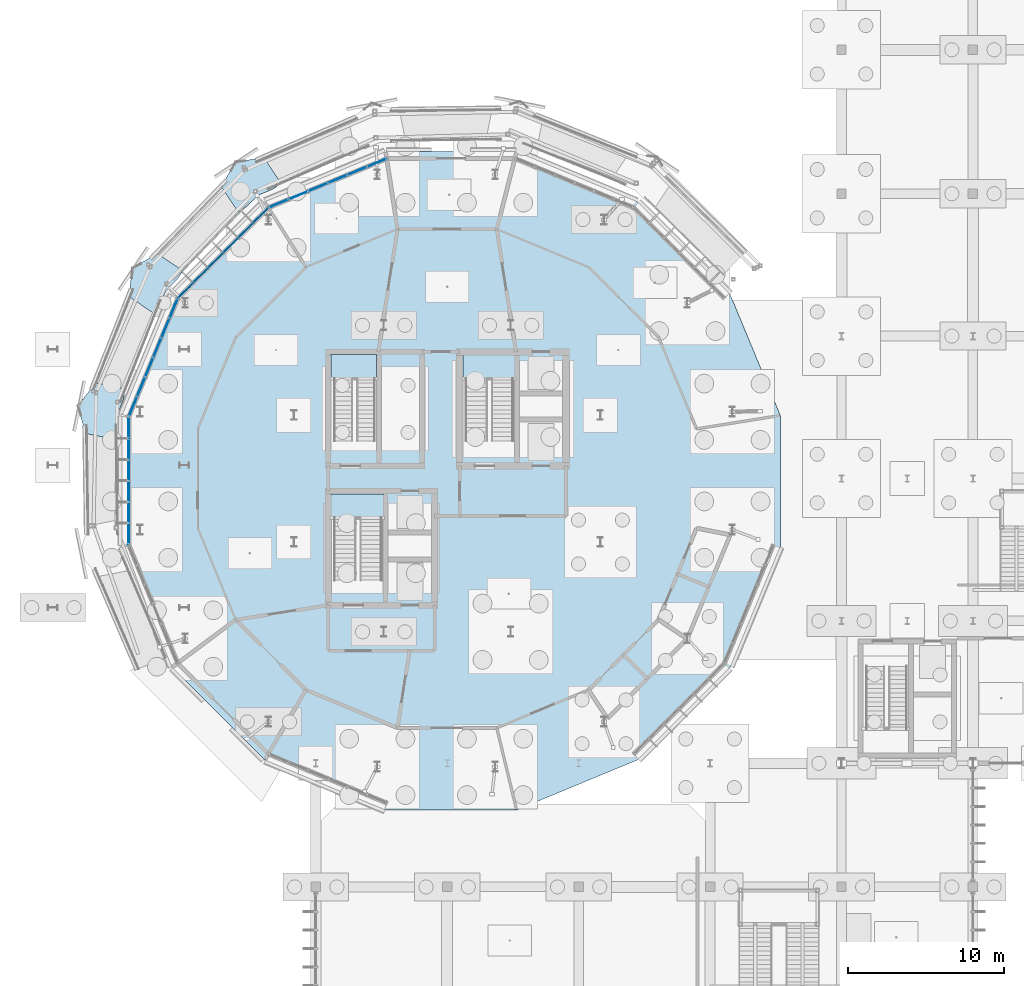
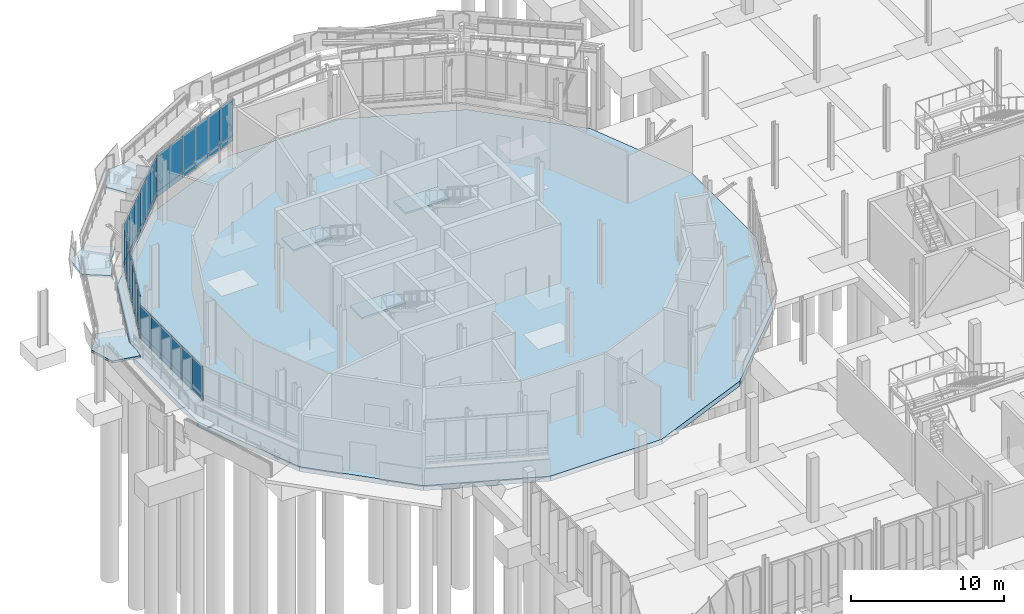
# One storey, part 69 of 119: 48 plates, 7 slabs, 8 elements without a shape of their own.
"""IFC4 building model written with IfcOpenShell, lengths in metres."""

import ifcopenshell
import ifcopenshell.guid

model = None  # the IFC model being written
_history = None  # IfcOwnerHistory: only IFC2X3 demands one
_inside = {}  # id of a spatial element -> (the spatial element, [elements in it])
_under = {}  # id of a project, library or spatial element -> (it, [spatial elements below it])
_declared = {}  # id of a project -> (the project, [libraries it declares])
_typed = {}  # id of a type object -> (the type object, [elements of that type])
_made_of = {}  # id of a material, layer set ... -> (it, [elements and type objects made of it])


def new_model(schema):
    """Start an empty IFC model of exactly this schema.

    Asked for "IFC4X3", IfcOpenShell would pick the latest addendum, in which some entities
    have other attributes; the version numbers below select the first issue.
    IFC2X3 requires an IfcOwnerHistory on every rooted entity: one is made here for all.
    """
    global model, _history
    if schema == "IFC4X3":
        model = ifcopenshell.file(schema_version=(4, 3, 0, 0))
    else:
        model = ifcopenshell.file(schema=schema)
    _inside.clear()
    _under.clear()
    _declared.clear()
    _typed.clear()
    _made_of.clear()
    _history = None
    if model.schema == "IFC2X3":
        org = make("IfcOrganization", Name="unknown")
        user = make(
            "IfcPersonAndOrganization",
            ThePerson=make("IfcPerson", FamilyName="unknown"),
            TheOrganization=org,
        )
        app = make(
            "IfcApplication",
            ApplicationDeveloper=org,
            Version="unknown",
            ApplicationFullName="unknown",
            ApplicationIdentifier="unknown",
        )
        _history = make(
            "IfcOwnerHistory",
            OwningUser=user,
            OwningApplication=app,
            ChangeAction="ADDED",
            CreationDate=0,
        )
    return model


def make(cls, **values):
    """One entity of the class cls with the attributes given. An attribute that is None is left unset."""
    return model.create_entity(
        cls, **{name: value for name, value in values.items() if value is not None}
    )


def rooted(cls, **values):
    """An entity with a GlobalId (a new one), such as an element, a storey or a relation."""
    return make(cls, GlobalId=ifcopenshell.guid.new(), OwnerHistory=_history, **values)


def si_unit(unit_type, name, prefix=None):
    """IfcSIUnit, for example si_unit("LENGTHUNIT", "METRE", prefix="MILLI")."""
    return make("IfcSIUnit", UnitType=unit_type, Prefix=prefix, Name=name)


def derived_unit(unit_type, elements):
    """IfcDerivedUnit: a product of units, each with its exponent."""
    return make(
        "IfcDerivedUnit",
        Elements=[
            make("IfcDerivedUnitElement", Unit=unit, Exponent=power)
            for unit, power in elements
        ],
        UnitType=unit_type,
    )


def assignment(units):
    """IfcUnitAssignment: the units of a project."""
    return None if units is None else make("IfcUnitAssignment", Units=units)


def point(xyz):
    """IfcCartesianPoint."""
    return None if xyz is None else make("IfcCartesianPoint", Coordinates=xyz)


def direction(xyz):
    """IfcDirection."""
    return None if xyz is None else make("IfcDirection", DirectionRatios=xyz)


def frame(location, z_axis=None, x_axis=None):
    """IfcAxis2Placement3D, a coordinate frame: its origin and axes. An axis left out is left unset."""
    return make(
        "IfcAxis2Placement3D",
        Location=point(location),
        Axis=direction(z_axis),
        RefDirection=direction(x_axis),
    )


def frame_2d(location, x_axis=None):
    """IfcAxis2Placement2D, a coordinate frame in the plane: its origin and x axis."""
    return make(
        "IfcAxis2Placement2D", Location=point(location), RefDirection=direction(x_axis)
    )


def origin():
    """The frame at (0, 0, 0) with its axes left unset."""
    return frame((0.0, 0.0, 0.0))


def origin_2d():
    """The frame at (0, 0) in the plane with its x axis left unset."""
    return frame_2d((0.0, 0.0))


def place(relative_to, where):
    """IfcLocalPlacement: puts the frame where relative to a parent placement (None: the world)."""
    return make(
        "IfcLocalPlacement", PlacementRelTo=relative_to, RelativePlacement=where
    )


def context(
    kind, dimensions, precision=None, world=None, true_north=None, identifier=None
):
    """IfcGeometricRepresentationContext, for example the 3D "Model" context."""
    return make(
        "IfcGeometricRepresentationContext",
        ContextIdentifier=identifier,
        ContextType=kind,
        CoordinateSpaceDimension=dimensions,
        Precision=precision,
        WorldCoordinateSystem=world,
        TrueNorth=true_north,
    )


def subcontext(parent, identifier, kind, view, scale=None):
    """IfcGeometricRepresentationSubContext, for example "Body" below "Model"."""
    return make(
        "IfcGeometricRepresentationSubContext",
        ContextIdentifier=identifier,
        ContextType=kind,
        ParentContext=parent,
        TargetScale=scale,
        TargetView=view,
    )


def project(units=None, contexts=None):
    """IfcProject with its units and contexts."""
    return rooted(
        "IfcProject",
        Name="project",
        RepresentationContexts=contexts,
        UnitsInContext=assignment(units),
    )


def spatial(cls, under=None, at=None, **own):
    """A site, building, storey or space (cls), placed at a placement, below another one or the project."""
    s = rooted(cls, ObjectPlacement=at, **own)
    if under is not None:
        _under.setdefault(under.id(), (under, []))[1].append(s)
    return s


def polyline(points):
    """IfcPolyline through the points."""
    return make("IfcPolyline", Points=[point(p) for p in points])


def profile(cls, at=None, kind="AREA", **sizes):
    """A parametric profile (cls). Its sizes go by their IFC names, for example OverallWidth=200.0."""
    return make(cls, ProfileType=kind, Position=at, **sizes)


def rectangle(**sizes):
    """IfcRectangleProfileDef."""
    return profile("IfcRectangleProfileDef", **sizes)


def outline(outer, holes=None, kind="AREA"):
    """IfcArbitraryClosedProfileDef: a profile drawn as a closed curve; with holes, ...WithVoids."""
    if holes is None:
        return make("IfcArbitraryClosedProfileDef", ProfileType=kind, OuterCurve=outer)
    return make(
        "IfcArbitraryProfileDefWithVoids",
        ProfileType=kind,
        OuterCurve=outer,
        InnerCurves=holes,
    )


def extrude(swept, where, along, depth):
    """IfcExtrudedAreaSolid: the profile swept, set in the frame where, extruded along a direction by depth."""
    return make(
        "IfcExtrudedAreaSolid",
        SweptArea=swept,
        Position=where,
        ExtrudedDirection=direction(along),
        Depth=depth,
    )


def shape(context_of_items, identifier, shape_type, items):
    """IfcShapeRepresentation: the items that make up one representation, for example the "Body"."""
    return make(
        "IfcShapeRepresentation",
        ContextOfItems=context_of_items,
        RepresentationIdentifier=identifier,
        RepresentationType=shape_type,
        Items=items,
    )


def material(Name=None, Category=None):
    """IfcMaterial."""
    return make("IfcMaterial", Name=Name, Category=Category)


def layer(
    of_material, thickness, ventilated=None, Name=None, Category=None, Priority=None
):
    """IfcMaterialLayer: one layer of a wall or slab, of a material (None: an air gap)."""
    return make(
        "IfcMaterialLayer",
        Material=of_material,
        LayerThickness=thickness,
        IsVentilated=ventilated,
        Name=Name,
        Category=Category,
        Priority=Priority,
    )


def layer_set(layers, Name=None):
    """IfcMaterialLayerSet."""
    return make("IfcMaterialLayerSet", MaterialLayers=layers, LayerSetName=Name)


def made_of(thing, what):
    """Note that an element or type object is made of a material, layer set ...; save() writes the relation."""
    if what is not None:
        _made_of.setdefault(what.id(), (what, []))[1].append(thing)
    return thing


def type_object(cls, material=None, **own):
    """A type object (cls), such as IfcWallType, which elements share."""
    return made_of(rooted(cls, **own), material)


def element(
    cls,
    number,
    at=None,
    inside=None,
    cuts=None,
    type_object=None,
    material=None,
    context=None,
    identifier="Body",
    shape_type=None,
    held_by="IfcProductDefinitionShape",
    body=None,
    shapes=None,
    **own,
):
    """One element of the class cls, such as IfcWall. Its Tag is "e" and its number.

    at: its placement. inside: the storey or other place that contains it. cuts: it is an
    opening in that element (IfcRelVoidsElement). A single representation is given by context,
    identifier, shape_type and body (its items); several are given by shapes. held_by: the class
    of the entity that holds the representations. save() writes the other relations.
    """
    e = rooted(cls, Tag="e%d" % number, ObjectPlacement=at, **own)
    if body is not None:
        shapes = [shape(context, identifier, shape_type, body)]
    if shapes is not None:
        e.Representation = make(held_by, Representations=shapes)
    if inside is not None:
        _inside.setdefault(inside.id(), (inside, []))[1].append(e)
    if cuts is not None:
        rooted(
            "IfcRelVoidsElement", RelatingBuildingElement=cuts, RelatedOpeningElement=e
        )
    if type_object is not None:
        _typed.setdefault(type_object.id(), (type_object, []))[1].append(e)
    return made_of(e, material)


def aggregate(whole, parts):
    """IfcRelAggregates: a whole, such as a stair, and the parts it consists of."""
    return rooted("IfcRelAggregates", RelatingObject=whole, RelatedObjects=parts)


def save(model, path):
    """Write the relations noted so far, then the file.

    IfcRelAggregates (storeys below a building ...), IfcRelContainedInSpatialStructure (elements
    in a storey), IfcRelDefinesByType, IfcRelAssociatesMaterial and IfcRelDeclares: one each for
    every whole, place, type object, material and project.
    """
    for whole, parts in _under.values():
        aggregate(whole, parts)
    for where, things in _inside.values():
        rooted(
            "IfcRelContainedInSpatialStructure",
            RelatedElements=things,
            RelatingStructure=where,
        )
    for kind, things in _typed.values():
        rooted("IfcRelDefinesByType", RelatedObjects=things, RelatingType=kind)
    for what, things in _made_of.values():
        rooted("IfcRelAssociatesMaterial", RelatedObjects=things, RelatingMaterial=what)
    for by, libraries in _declared.values():
        rooted("IfcRelDeclares", RelatingContext=by, RelatedDefinitions=libraries)
    model.write(path)


model = new_model("IFC4")

# Units and contexts
model_context = context("Model", 3, precision=1e-05, world=origin(), true_north=direction((0.0, 1.0)))
body_context = subcontext(model_context, "Body", "Model", "MODEL_VIEW")
ifc_project = project(units=[si_unit("LENGTHUNIT", "METRE"), si_unit("AREAUNIT", "SQUARE_METRE"), si_unit("VOLUMEUNIT", "CUBIC_METRE"), si_unit("PLANEANGLEUNIT", "RADIAN"), si_unit("MASSUNIT", "GRAM", prefix="KILO"), derived_unit("THERMALTRANSMITTANCEUNIT", [(si_unit("MASSUNIT", "GRAM", prefix="KILO"), 1), (si_unit("TIMEUNIT", "SECOND"), -3), (si_unit("THERMODYNAMICTEMPERATUREUNIT", "KELVIN"), -1)])], contexts=[model_context])

# Site, building, storey
site_placement = place(None, origin())
site = spatial("IfcSite", under=ifc_project, at=site_placement, CompositionType="ELEMENT")
building_placement = place(site_placement, origin())
building = spatial("IfcBuilding", under=site, at=building_placement, Name="Makaiwela Harbour Ferry Terminal", CompositionType="ELEMENT")
storey_placement = place(building_placement, origin())
storey = spatial("IfcBuildingStorey", under=building, at=storey_placement, Name="L00", CompositionType="ELEMENT", Elevation=0.0)

# Curtain wall, plates
ifc_material_1 = material(Name="Marine anodised aluminium 6063-T6", Category="aluminium")
ifc_layer_1 = layer(ifc_material_1, 0.199951171875)
ifc_layer_set_1 = layer_set([ifc_layer_1], Name="Marine anodised aluminium 6063-T6")
curtain_wall_type_1 = type_object("IfcCurtainWallType", Name="ENV-CW-01", PredefinedType="USERDEFINED", material=ifc_layer_set_1)
curtain_wall_1_placement = place(storey_placement, origin())
curtain_wall_1 = element("IfcCurtainWall", 1, at=curtain_wall_1_placement, inside=storey, type_object=curtain_wall_type_1, Name="Unitised Curtain Wall CWA-003", ObjectType="UNITIZED CURTAIN WALL", PredefinedType="USERDEFINED")
ifc_material_2 = material(Name="Laminated hurricane-impact low-E insulated glazing", Category="glass")
ifc_layer_2 = layer(ifc_material_2, 0.031982421875)
ifc_layer_set_2 = layer_set([ifc_layer_2], Name="Laminated hurricane-impact low-E insulated glazing")
plate_type_1 = type_object("IfcPlateType", Name="CW-PNL-G02", PredefinedType="CURTAIN_PANEL", material=ifc_layer_set_2)
plate_1_placement = place(storey_placement, frame((33.29931640625, 87.775634765625, 1.900146484375), z_axis=(0.0, 0.0, 1.0), x_axis=(-0.923879532511, -0.382683432365, 0.0)))
plate_1 = element("IfcPlate", 2, at=plate_1_placement, type_object=plate_type_1, Name="Glazed Vision Panel CWA-003-1G", PredefinedType="CURTAIN_PANEL", context=body_context, shape_type="SweptSolid", body=[
    extrude(rectangle(XDim=1.355712890625, YDim=0.031982421875, at=origin_2d()), origin(), (0.0, 0.0, 1.0), 2.919921875),
])
plate_2_placement = place(storey_placement, frame((32.046630859375, 87.2568359375, 1.900146484375), z_axis=(0.0, 0.0, 1.0), x_axis=(-0.923879532511, -0.382683432365, 0.0)))
plate_2 = element("IfcPlate", 3, at=plate_2_placement, type_object=plate_type_1, Name="Glazed Vision Panel CWA-003-2G", PredefinedType="CURTAIN_PANEL", context=body_context, shape_type="SweptSolid", body=[
    extrude(rectangle(XDim=1.355712890625, YDim=0.031982421875, at=origin_2d()), origin(), (0.0, 0.0, 1.0), 2.919921875),
])
plate_3_placement = place(storey_placement, frame((30.794189453125, 86.738037109375, 1.900146484375), z_axis=(0.0, 0.0, 1.0), x_axis=(-0.923879532511, -0.382683432365, 0.0)))
plate_3 = element("IfcPlate", 4, at=plate_3_placement, type_object=plate_type_1, Name="Glazed Vision Panel CWA-003-3G", PredefinedType="CURTAIN_PANEL", context=body_context, shape_type="SweptSolid", body=[
    extrude(rectangle(XDim=1.355712890625, YDim=0.031982421875, at=origin_2d()), origin(), (0.0, 0.0, 1.0), 2.919921875),
])
plate_4_placement = place(storey_placement, frame((29.541748046875, 86.21923828125, 1.900146484375), z_axis=(0.0, 0.0, 1.0), x_axis=(-0.923879532511, -0.382683432365, 0.0)))
plate_4 = element("IfcPlate", 5, at=plate_4_placement, type_object=plate_type_1, Name="Glazed Vision Panel CWA-003-4G", PredefinedType="CURTAIN_PANEL", context=body_context, shape_type="SweptSolid", body=[
    extrude(rectangle(XDim=1.355712890625, YDim=0.031982421875, at=origin_2d()), origin(), (0.0, 0.0, 1.0), 2.919921875),
])
plate_5_placement = place(storey_placement, frame((28.289306640625, 85.700439453125, 1.900146484375), z_axis=(0.0, 0.0, 1.0), x_axis=(-0.923879532511, -0.382683432365, 0.0)))
plate_5 = element("IfcPlate", 6, at=plate_5_placement, type_object=plate_type_1, Name="Glazed Vision Panel CWA-003-5G", PredefinedType="CURTAIN_PANEL", context=body_context, shape_type="SweptSolid", body=[
    extrude(rectangle(XDim=1.355712890625, YDim=0.031982421875, at=origin_2d()), origin(), (0.0, 0.0, 1.0), 2.919921875),
])
plate_6_placement = place(storey_placement, frame((27.036865234375, 85.181884765625, 1.900146484375), z_axis=(0.0, 0.0, 1.0), x_axis=(-0.923879532511, -0.382683432365, 0.0)))
plate_6 = element("IfcPlate", 7, at=plate_6_placement, type_object=plate_type_1, Name="Glazed Vision Panel CWA-003-6G", PredefinedType="CURTAIN_PANEL", context=body_context, shape_type="SweptSolid", body=[
    extrude(rectangle(XDim=1.355712890625, YDim=0.031982421875, at=origin_2d()), origin(), (0.0, 0.0, 1.0), 2.919921875),
])

curtain_wall_2_placement = place(storey_placement, origin())
curtain_wall_2 = element("IfcCurtainWall", 8, at=curtain_wall_2_placement, inside=storey, type_object=curtain_wall_type_1, Name="Unitised Curtain Wall CWA-004", ObjectType="UNITIZED CURTAIN WALL", PredefinedType="USERDEFINED")
plate_7_placement = place(storey_placement, frame((25.882568359375, 84.410400390625, 1.900146484375), z_axis=(0.0, 0.0, 1.0), x_axis=(-0.707106781187, -0.707106781187, 0.0)))
plate_7 = element("IfcPlate", 9, at=plate_7_placement, type_object=plate_type_1, Name="Glazed Vision Panel CWA-004-1G", PredefinedType="CURTAIN_PANEL", context=body_context, shape_type="SweptSolid", body=[
    extrude(rectangle(XDim=1.355712890625, YDim=0.031982421875, at=origin_2d()), origin(), (0.0, 0.0, 1.0), 2.919921875),
])
plate_8_placement = place(storey_placement, frame((24.923828125, 83.451904296875, 1.900146484375), z_axis=(0.0, 0.0, 1.0), x_axis=(-0.707106781187, -0.707106781187, 0.0)))
plate_8 = element("IfcPlate", 10, at=plate_8_placement, type_object=plate_type_1, Name="Glazed Vision Panel CWA-004-2G", PredefinedType="CURTAIN_PANEL", context=body_context, shape_type="SweptSolid", body=[
    extrude(rectangle(XDim=1.355712890625, YDim=0.031982421875, at=origin_2d()), origin(), (0.0, 0.0, 1.0), 2.919921875),
])
plate_9_placement = place(storey_placement, frame((23.96533203125, 82.4931640625, 1.900146484375), z_axis=(0.0, 0.0, 1.0), x_axis=(-0.707106781187, -0.707106781187, 0.0)))
plate_9 = element("IfcPlate", 11, at=plate_9_placement, type_object=plate_type_1, Name="Glazed Vision Panel CWA-004-3G", PredefinedType="CURTAIN_PANEL", context=body_context, shape_type="SweptSolid", body=[
    extrude(rectangle(XDim=1.355712890625, YDim=0.031982421875, at=origin_2d()), origin(), (0.0, 0.0, 1.0), 2.919921875),
])
plate_10_placement = place(storey_placement, frame((23.0068359375, 81.53466796875, 1.900146484375), z_axis=(0.0, 0.0, 1.0), x_axis=(-0.707106781187, -0.707106781187, 0.0)))
plate_10 = element("IfcPlate", 12, at=plate_10_placement, type_object=plate_type_1, Name="Glazed Vision Panel CWA-004-4G", PredefinedType="CURTAIN_PANEL", context=body_context, shape_type="SweptSolid", body=[
    extrude(rectangle(XDim=1.355712890625, YDim=0.031982421875, at=origin_2d()), origin(), (0.0, 0.0, 1.0), 2.919921875),
])
plate_11_placement = place(storey_placement, frame((22.048095703125, 80.576171875, 1.900146484375), z_axis=(0.0, 0.0, 1.0), x_axis=(-0.707106781187, -0.707106781187, 0.0)))
plate_11 = element("IfcPlate", 13, at=plate_11_placement, type_object=plate_type_1, Name="Glazed Vision Panel CWA-004-5G", PredefinedType="CURTAIN_PANEL", context=body_context, shape_type="SweptSolid", body=[
    extrude(rectangle(XDim=1.355712890625, YDim=0.031982421875, at=origin_2d()), origin(), (0.0, 0.0, 1.0), 2.919921875),
])
plate_12_placement = place(storey_placement, frame((21.089599609375, 79.617431640625, 1.900146484375), z_axis=(0.0, 0.0, 1.0), x_axis=(-0.707106781187, -0.707106781187, 0.0)))
plate_12 = element("IfcPlate", 14, at=plate_12_placement, type_object=plate_type_1, Name="Glazed Vision Panel CWA-004-6G", PredefinedType="CURTAIN_PANEL", context=body_context, shape_type="SweptSolid", body=[
    extrude(rectangle(XDim=1.355712890625, YDim=0.031982421875, at=origin_2d()), origin(), (0.0, 0.0, 1.0), 2.919921875),
])

curtain_wall_3_placement = place(storey_placement, origin())
curtain_wall_3 = element("IfcCurtainWall", 15, at=curtain_wall_3_placement, inside=storey, type_object=curtain_wall_type_1, Name="Unitised Curtain Wall CWA-005", ObjectType="UNITIZED CURTAIN WALL", PredefinedType="USERDEFINED")
plate_13_placement = place(storey_placement, frame((20.318115234375, 78.463134765625, 1.900146484375), z_axis=(0.0, 0.0, 1.0), x_axis=(-0.382683432365, -0.923879532511, 0.0)))
plate_13 = element("IfcPlate", 16, at=plate_13_placement, type_object=plate_type_1, Name="Glazed Vision Panel CWA-005-1G", PredefinedType="CURTAIN_PANEL", context=body_context, shape_type="SweptSolid", body=[
    extrude(rectangle(XDim=1.355712890625, YDim=0.031982421875, at=origin_2d()), origin(), (0.0, 0.0, 1.0), 2.919921875),
])
plate_14_placement = place(storey_placement, frame((19.799560546875, 77.210693359375, 1.900146484375), z_axis=(0.0, 0.0, 1.0), x_axis=(-0.382683432365, -0.923879532511, 0.0)))
plate_14 = element("IfcPlate", 17, at=plate_14_placement, type_object=plate_type_1, Name="Glazed Vision Panel CWA-005-2G", PredefinedType="CURTAIN_PANEL", context=body_context, shape_type="SweptSolid", body=[
    extrude(rectangle(XDim=1.355712890625, YDim=0.031982421875, at=origin_2d()), origin(), (0.0, 0.0, 1.0), 2.919921875),
])
plate_15_placement = place(storey_placement, frame((19.28076171875, 75.958251953125, 1.900146484375), z_axis=(0.0, 0.0, 1.0), x_axis=(-0.382683432365, -0.923879532511, 0.0)))
plate_15 = element("IfcPlate", 18, at=plate_15_placement, type_object=plate_type_1, Name="Glazed Vision Panel CWA-005-3G", PredefinedType="CURTAIN_PANEL", context=body_context, shape_type="SweptSolid", body=[
    extrude(rectangle(XDim=1.355712890625, YDim=0.031982421875, at=origin_2d()), origin(), (0.0, 0.0, 1.0), 2.919921875),
])
plate_16_placement = place(storey_placement, frame((18.761962890625, 74.705810546875, 1.900146484375), z_axis=(0.0, 0.0, 1.0), x_axis=(-0.382683432365, -0.923879532511, 0.0)))
plate_16 = element("IfcPlate", 19, at=plate_16_placement, type_object=plate_type_1, Name="Glazed Vision Panel CWA-005-4G", PredefinedType="CURTAIN_PANEL", context=body_context, shape_type="SweptSolid", body=[
    extrude(rectangle(XDim=1.355712890625, YDim=0.031982421875, at=origin_2d()), origin(), (0.0, 0.0, 1.0), 2.919921875),
])
plate_17_placement = place(storey_placement, frame((18.2431640625, 73.453369140625, 1.900146484375), z_axis=(0.0, 0.0, 1.0), x_axis=(-0.382683432365, -0.923879532511, 0.0)))
plate_17 = element("IfcPlate", 20, at=plate_17_placement, type_object=plate_type_1, Name="Glazed Vision Panel CWA-005-5G", PredefinedType="CURTAIN_PANEL", context=body_context, shape_type="SweptSolid", body=[
    extrude(rectangle(XDim=1.355712890625, YDim=0.031982421875, at=origin_2d()), origin(), (0.0, 0.0, 1.0), 2.919921875),
])
plate_18_placement = place(storey_placement, frame((17.724365234375, 72.20068359375, 1.900146484375), z_axis=(0.0, 0.0, 1.0), x_axis=(-0.382683432365, -0.923879532511, 0.0)))
plate_18 = element("IfcPlate", 21, at=plate_18_placement, type_object=plate_type_1, Name="Glazed Vision Panel CWA-005-6G", PredefinedType="CURTAIN_PANEL", context=body_context, shape_type="SweptSolid", body=[
    extrude(rectangle(XDim=1.355712890625, YDim=0.031982421875, at=origin_2d()), origin(), (0.0, 0.0, 1.0), 2.919921875),
])

ifc_layer_3 = layer(ifc_material_1, 0.199951171875)
ifc_layer_set_3 = layer_set([ifc_layer_3], Name="Marine anodised aluminium 6063-T6")
curtain_wall_type_2 = type_object("IfcCurtainWallType", Name="ENV-CW-02", PredefinedType="USERDEFINED", material=ifc_layer_set_3)
curtain_wall_4_placement = place(storey_placement, origin())
curtain_wall_4 = element("IfcCurtainWall", 22, at=curtain_wall_4_placement, inside=storey, type_object=curtain_wall_type_2, Name="Unitised Curtain Wall CWA-006", ObjectType="UNITIZED CURTAIN WALL", PredefinedType="USERDEFINED")
ifc_layer_4 = layer(ifc_material_2, 0.031982421875)
ifc_layer_set_4 = layer_set([ifc_layer_4], Name="Laminated hurricane-impact low-E insulated glazing")
plate_type_2 = type_object("IfcPlateType", Name="CW-PNL-G03", PredefinedType="CURTAIN_PANEL", material=ifc_layer_set_4)
plate_19_placement = place(storey_placement, frame((17.45361328125, 70.839111328125, 1.89990234375), z_axis=(0.0, 0.0, 1.0), x_axis=(0.0, -1.0, 0.0)))
plate_19 = element("IfcPlate", 23, at=plate_19_placement, type_object=plate_type_2, Name="Glazed Vision Panel CWA-006-1G", PredefinedType="CURTAIN_PANEL", context=body_context, shape_type="SweptSolid", body=[
    extrude(rectangle(XDim=1.355712890625, YDim=0.031982421875, at=origin_2d()), origin(), (0.0, 0.0, 1.0), 2.260009765625),
])
plate_20_placement = place(storey_placement, frame((17.45361328125, 69.4833984375, 1.89990234375), z_axis=(0.0, 0.0, 1.0), x_axis=(0.0, -1.0, 0.0)))
plate_20 = element("IfcPlate", 24, at=plate_20_placement, type_object=plate_type_2, Name="Glazed Vision Panel CWA-006-2G", PredefinedType="CURTAIN_PANEL", context=body_context, shape_type="SweptSolid", body=[
    extrude(rectangle(XDim=1.355712890625, YDim=0.031982421875, at=origin_2d()), origin(), (0.0, 0.0, 1.0), 2.260009765625),
])
plate_21_placement = place(storey_placement, frame((17.45361328125, 68.127685546875, 1.89990234375), z_axis=(0.0, 0.0, 1.0), x_axis=(0.0, -1.0, 0.0)))
plate_21 = element("IfcPlate", 25, at=plate_21_placement, type_object=plate_type_2, Name="Glazed Vision Panel CWA-006-3G", PredefinedType="CURTAIN_PANEL", context=body_context, shape_type="SweptSolid", body=[
    extrude(rectangle(XDim=1.355712890625, YDim=0.031982421875, at=origin_2d()), origin(), (0.0, 0.0, 1.0), 2.260009765625),
])
plate_22_placement = place(storey_placement, frame((17.45361328125, 66.772216796875, 1.89990234375), z_axis=(0.0, 0.0, 1.0), x_axis=(0.0, -1.0, 0.0)))
plate_22 = element("IfcPlate", 26, at=plate_22_placement, type_object=plate_type_2, Name="Glazed Vision Panel CWA-006-4G", PredefinedType="CURTAIN_PANEL", context=body_context, shape_type="SweptSolid", body=[
    extrude(rectangle(XDim=1.355712890625, YDim=0.031982421875, at=origin_2d()), origin(), (0.0, 0.0, 1.0), 2.260009765625),
])
plate_23_placement = place(storey_placement, frame((17.45361328125, 65.41650390625, 1.89990234375), z_axis=(0.0, 0.0, 1.0), x_axis=(0.0, -1.0, 0.0)))
plate_23 = element("IfcPlate", 27, at=plate_23_placement, type_object=plate_type_2, Name="Glazed Vision Panel CWA-006-5G", PredefinedType="CURTAIN_PANEL", context=body_context, shape_type="SweptSolid", body=[
    extrude(rectangle(XDim=1.355712890625, YDim=0.031982421875, at=origin_2d()), origin(), (0.0, 0.0, 1.0), 2.260009765625),
])
plate_24_placement = place(storey_placement, frame((17.45361328125, 64.060791015625, 1.89990234375), z_axis=(0.0, 0.0, 1.0), x_axis=(0.0, -1.0, 0.0)))
plate_24 = element("IfcPlate", 28, at=plate_24_placement, type_object=plate_type_2, Name="Glazed Vision Panel CWA-006-6G", PredefinedType="CURTAIN_PANEL", context=body_context, shape_type="SweptSolid", body=[
    extrude(rectangle(XDim=1.355712890625, YDim=0.031982421875, at=origin_2d()), origin(), (0.0, 0.0, 1.0), 2.260009765625),
])

# Plate
ifc_material_3 = material(Name="Insulated marine aluminium spandrel panel", Category="aluminium")
ifc_layer_5 = layer(ifc_material_3, 0.048095703125)
ifc_layer_set_5 = layer_set([ifc_layer_5], Name="Insulated marine aluminium spandrel panel")
plate_type_3 = type_object("IfcPlateType", Name="CW-PNL-S01", PredefinedType="CURTAIN_PANEL", material=ifc_layer_set_5)
plate_25_placement = place(storey_placement, frame((33.29931640625, 87.775634765625, 1.47998046875), z_axis=(0.0, 0.0, 1.0), x_axis=(-0.923879532511, -0.382683432365, 0.0)))
plate_25 = element("IfcPlate", 29, at=plate_25_placement, type_object=plate_type_3, Name="Spandrel Panel CWA-003-1S", PredefinedType="CURTAIN_PANEL", context=body_context, shape_type="SweptSolid", body=[
    extrude(rectangle(XDim=1.355712890625, YDim=0.048095703125, at=origin_2d()), origin(), (0.0, 0.0, 1.0), 0.419921875),
])

plate_26_placement = place(storey_placement, frame((32.046630859375, 87.2568359375, 1.47998046875), z_axis=(0.0, 0.0, 1.0), x_axis=(-0.923879532511, -0.382683432365, 0.0)))
plate_26 = element("IfcPlate", 30, at=plate_26_placement, type_object=plate_type_3, Name="Spandrel Panel CWA-003-2S", PredefinedType="CURTAIN_PANEL", context=body_context, shape_type="SweptSolid", body=[
    extrude(rectangle(XDim=1.355712890625, YDim=0.048095703125, at=origin_2d()), origin(), (0.0, 0.0, 1.0), 0.419921875),
])

plate_27_placement = place(storey_placement, frame((30.794189453125, 86.738037109375, 1.47998046875), z_axis=(0.0, 0.0, 1.0), x_axis=(-0.923879532511, -0.382683432365, 0.0)))
plate_27 = element("IfcPlate", 31, at=plate_27_placement, type_object=plate_type_3, Name="Spandrel Panel CWA-003-3S", PredefinedType="CURTAIN_PANEL", context=body_context, shape_type="SweptSolid", body=[
    extrude(rectangle(XDim=1.355712890625, YDim=0.048095703125, at=origin_2d()), origin(), (0.0, 0.0, 1.0), 0.419921875),
])

plate_28_placement = place(storey_placement, frame((29.541748046875, 86.21923828125, 1.47998046875), z_axis=(0.0, 0.0, 1.0), x_axis=(-0.923879532511, -0.382683432365, 0.0)))
plate_28 = element("IfcPlate", 32, at=plate_28_placement, type_object=plate_type_3, Name="Spandrel Panel CWA-003-4S", PredefinedType="CURTAIN_PANEL", context=body_context, shape_type="SweptSolid", body=[
    extrude(rectangle(XDim=1.355712890625, YDim=0.048095703125, at=origin_2d()), origin(), (0.0, 0.0, 1.0), 0.419921875),
])

plate_29_placement = place(storey_placement, frame((28.289306640625, 85.700439453125, 1.47998046875), z_axis=(0.0, 0.0, 1.0), x_axis=(-0.923879532511, -0.382683432365, 0.0)))
plate_29 = element("IfcPlate", 33, at=plate_29_placement, type_object=plate_type_3, Name="Spandrel Panel CWA-003-5S", PredefinedType="CURTAIN_PANEL", context=body_context, shape_type="SweptSolid", body=[
    extrude(rectangle(XDim=1.355712890625, YDim=0.048095703125, at=origin_2d()), origin(), (0.0, 0.0, 1.0), 0.419921875),
])

plate_30_placement = place(storey_placement, frame((27.036865234375, 85.181884765625, 1.47998046875), z_axis=(0.0, 0.0, 1.0), x_axis=(-0.923879532511, -0.382683432365, 0.0)))
plate_30 = element("IfcPlate", 34, at=plate_30_placement, type_object=plate_type_3, Name="Spandrel Panel CWA-003-6S", PredefinedType="CURTAIN_PANEL", context=body_context, shape_type="SweptSolid", body=[
    extrude(rectangle(XDim=1.355712890625, YDim=0.048095703125, at=origin_2d()), origin(), (0.0, 0.0, 1.0), 0.419921875),
])

aggregate(curtain_wall_1, [plate_25, plate_1, plate_26, plate_2, plate_27, plate_3, plate_28, plate_4, plate_29, plate_5, plate_30, plate_6])

plate_31_placement = place(storey_placement, frame((25.882568359375, 84.410400390625, 1.47998046875), z_axis=(0.0, 0.0, 1.0), x_axis=(-0.707106781187, -0.707106781187, 0.0)))
plate_31 = element("IfcPlate", 35, at=plate_31_placement, type_object=plate_type_3, Name="Spandrel Panel CWA-004-1S", PredefinedType="CURTAIN_PANEL", context=body_context, shape_type="SweptSolid", body=[
    extrude(rectangle(XDim=1.355712890625, YDim=0.048095703125, at=origin_2d()), origin(), (0.0, 0.0, 1.0), 0.419921875),
])

plate_32_placement = place(storey_placement, frame((24.923828125, 83.451904296875, 1.47998046875), z_axis=(0.0, 0.0, 1.0), x_axis=(-0.707106781187, -0.707106781187, 0.0)))
plate_32 = element("IfcPlate", 36, at=plate_32_placement, type_object=plate_type_3, Name="Spandrel Panel CWA-004-2S", PredefinedType="CURTAIN_PANEL", context=body_context, shape_type="SweptSolid", body=[
    extrude(rectangle(XDim=1.355712890625, YDim=0.048095703125, at=origin_2d()), origin(), (0.0, 0.0, 1.0), 0.419921875),
])

plate_33_placement = place(storey_placement, frame((23.96533203125, 82.4931640625, 1.47998046875), z_axis=(0.0, 0.0, 1.0), x_axis=(-0.707106781187, -0.707106781187, 0.0)))
plate_33 = element("IfcPlate", 37, at=plate_33_placement, type_object=plate_type_3, Name="Spandrel Panel CWA-004-3S", PredefinedType="CURTAIN_PANEL", context=body_context, shape_type="SweptSolid", body=[
    extrude(rectangle(XDim=1.355712890625, YDim=0.048095703125, at=origin_2d()), origin(), (0.0, 0.0, 1.0), 0.419921875),
])

plate_34_placement = place(storey_placement, frame((23.0068359375, 81.53466796875, 1.47998046875), z_axis=(0.0, 0.0, 1.0), x_axis=(-0.707106781187, -0.707106781187, 0.0)))
plate_34 = element("IfcPlate", 38, at=plate_34_placement, type_object=plate_type_3, Name="Spandrel Panel CWA-004-4S", PredefinedType="CURTAIN_PANEL", context=body_context, shape_type="SweptSolid", body=[
    extrude(rectangle(XDim=1.355712890625, YDim=0.048095703125, at=origin_2d()), origin(), (0.0, 0.0, 1.0), 0.419921875),
])

plate_35_placement = place(storey_placement, frame((22.048095703125, 80.576171875, 1.47998046875), z_axis=(0.0, 0.0, 1.0), x_axis=(-0.707106781187, -0.707106781187, 0.0)))
plate_35 = element("IfcPlate", 39, at=plate_35_placement, type_object=plate_type_3, Name="Spandrel Panel CWA-004-5S", PredefinedType="CURTAIN_PANEL", context=body_context, shape_type="SweptSolid", body=[
    extrude(rectangle(XDim=1.355712890625, YDim=0.048095703125, at=origin_2d()), origin(), (0.0, 0.0, 1.0), 0.419921875),
])

plate_36_placement = place(storey_placement, frame((21.089599609375, 79.617431640625, 1.47998046875), z_axis=(0.0, 0.0, 1.0), x_axis=(-0.707106781187, -0.707106781187, 0.0)))
plate_36 = element("IfcPlate", 40, at=plate_36_placement, type_object=plate_type_3, Name="Spandrel Panel CWA-004-6S", PredefinedType="CURTAIN_PANEL", context=body_context, shape_type="SweptSolid", body=[
    extrude(rectangle(XDim=1.355712890625, YDim=0.048095703125, at=origin_2d()), origin(), (0.0, 0.0, 1.0), 0.419921875),
])

aggregate(curtain_wall_2, [plate_31, plate_7, plate_32, plate_8, plate_33, plate_9, plate_34, plate_10, plate_35, plate_11, plate_36, plate_12])

plate_37_placement = place(storey_placement, frame((20.318115234375, 78.463134765625, 1.47998046875), z_axis=(0.0, 0.0, 1.0), x_axis=(-0.382683432365, -0.923879532511, 0.0)))
plate_37 = element("IfcPlate", 41, at=plate_37_placement, type_object=plate_type_3, Name="Spandrel Panel CWA-005-1S", PredefinedType="CURTAIN_PANEL", context=body_context, shape_type="SweptSolid", body=[
    extrude(rectangle(XDim=1.355712890625, YDim=0.048095703125, at=origin_2d()), origin(), (0.0, 0.0, 1.0), 0.419921875),
])

plate_38_placement = place(storey_placement, frame((19.799560546875, 77.210693359375, 1.47998046875), z_axis=(0.0, 0.0, 1.0), x_axis=(-0.382683432365, -0.923879532511, 0.0)))
plate_38 = element("IfcPlate", 42, at=plate_38_placement, type_object=plate_type_3, Name="Spandrel Panel CWA-005-2S", PredefinedType="CURTAIN_PANEL", context=body_context, shape_type="SweptSolid", body=[
    extrude(rectangle(XDim=1.355712890625, YDim=0.048095703125, at=origin_2d()), origin(), (0.0, 0.0, 1.0), 0.419921875),
])

plate_39_placement = place(storey_placement, frame((19.28076171875, 75.958251953125, 1.47998046875), z_axis=(0.0, 0.0, 1.0), x_axis=(-0.382683432365, -0.923879532511, 0.0)))
plate_39 = element("IfcPlate", 43, at=plate_39_placement, type_object=plate_type_3, Name="Spandrel Panel CWA-005-3S", PredefinedType="CURTAIN_PANEL", context=body_context, shape_type="SweptSolid", body=[
    extrude(rectangle(XDim=1.355712890625, YDim=0.048095703125, at=origin_2d()), origin(), (0.0, 0.0, 1.0), 0.419921875),
])

plate_40_placement = place(storey_placement, frame((18.761962890625, 74.705810546875, 1.47998046875), z_axis=(0.0, 0.0, 1.0), x_axis=(-0.382683432365, -0.923879532511, 0.0)))
plate_40 = element("IfcPlate", 44, at=plate_40_placement, type_object=plate_type_3, Name="Spandrel Panel CWA-005-4S", PredefinedType="CURTAIN_PANEL", context=body_context, shape_type="SweptSolid", body=[
    extrude(rectangle(XDim=1.355712890625, YDim=0.048095703125, at=origin_2d()), origin(), (0.0, 0.0, 1.0), 0.419921875),
])

plate_41_placement = place(storey_placement, frame((18.2431640625, 73.453369140625, 1.47998046875), z_axis=(0.0, 0.0, 1.0), x_axis=(-0.382683432365, -0.923879532511, 0.0)))
plate_41 = element("IfcPlate", 45, at=plate_41_placement, type_object=plate_type_3, Name="Spandrel Panel CWA-005-5S", PredefinedType="CURTAIN_PANEL", context=body_context, shape_type="SweptSolid", body=[
    extrude(rectangle(XDim=1.355712890625, YDim=0.048095703125, at=origin_2d()), origin(), (0.0, 0.0, 1.0), 0.419921875),
])

plate_42_placement = place(storey_placement, frame((17.724365234375, 72.20068359375, 1.47998046875), z_axis=(0.0, 0.0, 1.0), x_axis=(-0.382683432365, -0.923879532511, 0.0)))
plate_42 = element("IfcPlate", 46, at=plate_42_placement, type_object=plate_type_3, Name="Spandrel Panel CWA-005-6S", PredefinedType="CURTAIN_PANEL", context=body_context, shape_type="SweptSolid", body=[
    extrude(rectangle(XDim=1.355712890625, YDim=0.048095703125, at=origin_2d()), origin(), (0.0, 0.0, 1.0), 0.419921875),
])

aggregate(curtain_wall_3, [plate_37, plate_13, plate_38, plate_14, plate_39, plate_15, plate_40, plate_16, plate_41, plate_17, plate_42, plate_18])

plate_43_placement = place(storey_placement, frame((17.45361328125, 70.839111328125, 1.47998046875), z_axis=(0.0, 0.0, 1.0), x_axis=(0.0, -1.0, 0.0)))
plate_43 = element("IfcPlate", 47, at=plate_43_placement, type_object=plate_type_3, Name="Spandrel Panel CWA-006-1S", PredefinedType="CURTAIN_PANEL", context=body_context, shape_type="SweptSolid", body=[
    extrude(rectangle(XDim=1.355712890625, YDim=0.048095703125, at=origin_2d()), origin(), (0.0, 0.0, 1.0), 0.419921875),
])

plate_44_placement = place(storey_placement, frame((17.45361328125, 69.4833984375, 1.47998046875), z_axis=(0.0, 0.0, 1.0), x_axis=(0.0, -1.0, 0.0)))
plate_44 = element("IfcPlate", 48, at=plate_44_placement, type_object=plate_type_3, Name="Spandrel Panel CWA-006-2S", PredefinedType="CURTAIN_PANEL", context=body_context, shape_type="SweptSolid", body=[
    extrude(rectangle(XDim=1.355712890625, YDim=0.048095703125, at=origin_2d()), origin(), (0.0, 0.0, 1.0), 0.419921875),
])

plate_45_placement = place(storey_placement, frame((17.45361328125, 68.127685546875, 1.47998046875), z_axis=(0.0, 0.0, 1.0), x_axis=(0.0, -1.0, 0.0)))
plate_45 = element("IfcPlate", 49, at=plate_45_placement, type_object=plate_type_3, Name="Spandrel Panel CWA-006-3S", PredefinedType="CURTAIN_PANEL", context=body_context, shape_type="SweptSolid", body=[
    extrude(rectangle(XDim=1.355712890625, YDim=0.048095703125, at=origin_2d()), origin(), (0.0, 0.0, 1.0), 0.419921875),
])

plate_46_placement = place(storey_placement, frame((17.45361328125, 66.772216796875, 1.47998046875), z_axis=(0.0, 0.0, 1.0), x_axis=(0.0, -1.0, 0.0)))
plate_46 = element("IfcPlate", 50, at=plate_46_placement, type_object=plate_type_3, Name="Spandrel Panel CWA-006-4S", PredefinedType="CURTAIN_PANEL", context=body_context, shape_type="SweptSolid", body=[
    extrude(rectangle(XDim=1.355712890625, YDim=0.048095703125, at=origin_2d()), origin(), (0.0, 0.0, 1.0), 0.419921875),
])

plate_47_placement = place(storey_placement, frame((17.45361328125, 65.41650390625, 1.47998046875), z_axis=(0.0, 0.0, 1.0), x_axis=(0.0, -1.0, 0.0)))
plate_47 = element("IfcPlate", 51, at=plate_47_placement, type_object=plate_type_3, Name="Spandrel Panel CWA-006-5S", PredefinedType="CURTAIN_PANEL", context=body_context, shape_type="SweptSolid", body=[
    extrude(rectangle(XDim=1.355712890625, YDim=0.048095703125, at=origin_2d()), origin(), (0.0, 0.0, 1.0), 0.419921875),
])

plate_48_placement = place(storey_placement, frame((17.45361328125, 64.060791015625, 1.47998046875), z_axis=(0.0, 0.0, 1.0), x_axis=(0.0, -1.0, 0.0)))
plate_48 = element("IfcPlate", 52, at=plate_48_placement, type_object=plate_type_3, Name="Spandrel Panel CWA-006-6S", PredefinedType="CURTAIN_PANEL", context=body_context, shape_type="SweptSolid", body=[
    extrude(rectangle(XDim=1.355712890625, YDim=0.048095703125, at=origin_2d()), origin(), (0.0, 0.0, 1.0), 0.419921875),
])

aggregate(curtain_wall_4, [plate_43, plate_19, plate_44, plate_20, plate_45, plate_21, plate_46, plate_22, plate_47, plate_23, plate_48, plate_24])

# Slab
ifc_material_4 = material(Name="Concrete f'c 35 MPa (5000 psi)", Category="concrete")
ifc_layer_6 = layer(ifc_material_4, 0.39990234375)
ifc_layer_set_6 = layer_set([ifc_layer_6], Name="Concrete f'c 35 MPa (5000 psi)")
slab_type_1 = type_object("IfcSlabType", Name="SLB-BASE-400", PredefinedType="BASESLAB", material=ifc_layer_set_6)
slab_1_placement = place(storey_placement, frame((0.0, 0.0, -0.39990234375)))
element("IfcSlab", 53, at=slab_1_placement, inside=storey, type_object=slab_type_1, Name="Slab SLB-001", PredefinedType="BASESLAB", context=body_context, shape_type="SweptSolid", body=[
    extrude(outline(polyline([(59.087890625, 71.634765625), (55.885009765625, 79.366943359375), (49.967041015625, 85.284912109375), (42.234619140625, 88.48779296875), (33.865234375, 88.48779296875), (26.133056640625, 85.284912109375), (20.215087890625, 79.366943359375), (17.01220703125, 71.634765625), (17.01220703125, 63.265380859375), (20.215087890625, 55.532958984375), (26.133056640625, 49.614990234375), (33.865234375, 46.412109375), (42.234619140625, 46.412109375), (49.967041015625, 49.614990234375), (55.885009765625, 55.532958984375), (59.087890625, 63.265380859375), (59.087890625, 71.634765625)])), origin(), (0.0, 0.0, 1.0), 0.39990234375),
])

# Stair, slab
stair_type_1 = type_object("IfcStairType", Name="CIR-STR-A01", PredefinedType="HALF_TURN_STAIR", material=ifc_material_4)
stair_1_placement = place(storey_placement, origin())
stair_1 = element("IfcStair", 54, at=stair_1_placement, inside=storey, type_object=stair_type_1, Name="Stair ST-01-L00", PredefinedType="HALF_TURN_STAIR")
ifc_layer_7 = layer(ifc_material_4, 0.14990234375)
ifc_layer_set_7 = layer_set([ifc_layer_7], Name="Concrete f'c 35 MPa (5000 psi)")
slab_type_2 = type_object("IfcSlabType", Name="SLB-LND-150", PredefinedType="LANDING", material=ifc_layer_set_7)
slab_2_placement = place(storey_placement, frame((0.0, 0.0, 2.39990234375)))
slab_2 = element("IfcSlab", 55, at=slab_2_placement, type_object=slab_type_2, Name="Stair Half Landing LND-01", PredefinedType="LANDING", context=body_context, shape_type="SweptSolid", body=[
    extrude(outline(polyline([(38.81005859375, 73.93994140625), (42.126953125, 73.93994140625), (42.126953125, 75.489990234375), (38.81005859375, 75.489990234375), (38.81005859375, 73.93994140625)])), origin(), (0.0, 0.0, 1.0), 0.150146484375),
])
aggregate(stair_1, [slab_2])

stair_2_placement = place(storey_placement, origin())
stair_2 = element("IfcStair", 56, at=stair_2_placement, inside=storey, type_object=stair_type_1, Name="Stair ST-02-L00", PredefinedType="HALF_TURN_STAIR")
slab_3_placement = place(storey_placement, frame((0.0, 0.0, 2.39990234375)))
slab_3 = element("IfcSlab", 57, at=slab_3_placement, type_object=slab_type_2, Name="Stair Half Landing LND-06", PredefinedType="LANDING", context=body_context, shape_type="SweptSolid", body=[
    extrude(outline(polyline([(30.385009765625, 65.0400390625), (33.72705078125, 65.0400390625), (33.72705078125, 66.614990234375), (30.385009765625, 66.614990234375), (30.385009765625, 65.0400390625)])), origin(), (0.0, 0.0, 1.0), 0.150146484375),
])
aggregate(stair_2, [slab_3])

stair_type_2 = type_object("IfcStairType", Name="CIR-STR-A05", PredefinedType="HALF_TURN_STAIR", material=ifc_material_4)
stair_3_placement = place(storey_placement, origin())
stair_3 = element("IfcStair", 58, at=stair_3_placement, inside=storey, type_object=stair_type_2, Name="Stair ST-03-L00", PredefinedType="HALF_TURN_STAIR")
slab_4_placement = place(storey_placement, frame((0.0, 0.0, 2.39990234375)))
slab_4 = element("IfcSlab", 59, at=slab_4_placement, type_object=slab_type_2, Name="Stair Half Landing LND-11", PredefinedType="LANDING", context=body_context, shape_type="SweptSolid", body=[
    extrude(outline(polyline([(30.364990234375, 73.93994140625), (33.294921875, 73.93994140625), (33.294921875, 75.534912109375), (30.364990234375, 75.534912109375), (30.364990234375, 73.93994140625)])), origin(), (0.0, 0.0, 1.0), 0.150146484375),
])
aggregate(stair_3, [slab_4])

# Ramp, slabs
ramp_type = type_object("IfcRampType", Name="CIR-RMP-ASSY", PredefinedType="STRAIGHT_RUN_RAMP", material=ifc_material_4)
ramp_placement = place(storey_placement, origin())
ramp = element("IfcRamp", 60, at=ramp_placement, inside=storey, type_object=ramp_type, Name="External Coiled Promenade Ramp L00 to L01", PredefinedType="STRAIGHT_RUN_RAMP")
ifc_layer_8 = layer(ifc_material_4, 0.169921875)
ifc_layer_set_8 = layer_set([ifc_layer_8], Name="Concrete f'c 35 MPa (5000 psi)")
slab_type_3 = type_object("IfcSlabType", Name="SLB-LND-170", PredefinedType="LANDING", material=ifc_layer_set_8)
slab_5_placement = place(storey_placement, frame((0.0, 0.0, 1.10498046875)))
slab_5 = element("IfcSlab", 61, at=slab_5_placement, type_object=slab_type_3, Name="Promenade Ramp Landing RMP-COIL-L00-L2", PredefinedType="LANDING", context=body_context, shape_type="SweptSolid", body=[
    extrude(outline(polyline([(16.738037109375, 70.76220703125), (16.738037109375, 71.74658203125), (16.738037109375, 71.74658203125), (16.738037109375, 71.746826171875), (16.738037109375, 71.7470703125), (16.73828125, 71.747314453125), (17.11474609375, 72.656494140625), (17.248291015625, 73.32763671875), (15.345703125, 73.706298828125), (14.17041015625, 72.257568359375), (14.701904296875, 70.469482421875), (16.6044921875, 70.091064453125), (16.738037109375, 70.76220703125)])), origin(), (0.0, 0.0, 1.0), 0.169921875),
])
slab_6_placement = place(storey_placement, frame((0.0, 0.0, 1.742431640625)))
slab_6 = element("IfcSlab", 62, at=slab_6_placement, type_object=slab_type_3, Name="Promenade Ramp Landing RMP-COIL-L00-L3", PredefinedType="LANDING", context=body_context, shape_type="SweptSolid", body=[
    extrude(outline(polyline([(19.462158203125, 78.70751953125), (19.838623046875, 79.616455078125), (19.838623046875, 79.61669921875), (19.838623046875, 79.61669921875), (19.8388671875, 79.616943359375), (19.839111328125, 79.6171875), (20.534912109375, 80.31298828125), (20.9150390625, 80.882080078125), (19.302001953125, 81.9599609375), (17.661865234375, 81.0712890625), (17.468505859375, 79.216064453125), (19.081787109375, 78.13818359375), (19.462158203125, 78.70751953125)])), origin(), (0.0, 0.0, 1.0), 0.170166015625),
])
slab_7_placement = place(storey_placement, frame((0.0, 0.0, 2.3798828125)))
slab_7 = element("IfcSlab", 63, at=slab_7_placement, type_object=slab_type_3, Name="Promenade Ramp Landing RMP-COIL-L00-L4", PredefinedType="LANDING", context=body_context, shape_type="SweptSolid", body=[
    extrude(outline(polyline([(25.018798828125, 85.0048828125), (25.71484375, 85.700927734375), (25.715087890625, 85.700927734375), (25.715087890625, 85.701171875), (25.71533203125, 85.701416015625), (25.715576171875, 85.701416015625), (26.624755859375, 86.077880859375), (27.19384765625, 86.458251953125), (26.115966796875, 88.0712890625), (24.2607421875, 87.8779296875), (23.372314453125, 86.23779296875), (24.449951171875, 84.624755859375), (25.018798828125, 85.0048828125)])), origin(), (0.0, 0.0, 1.0), 0.170166015625),
])
aggregate(ramp, [slab_5, slab_6, slab_7])

save(model, "model.ifc")
